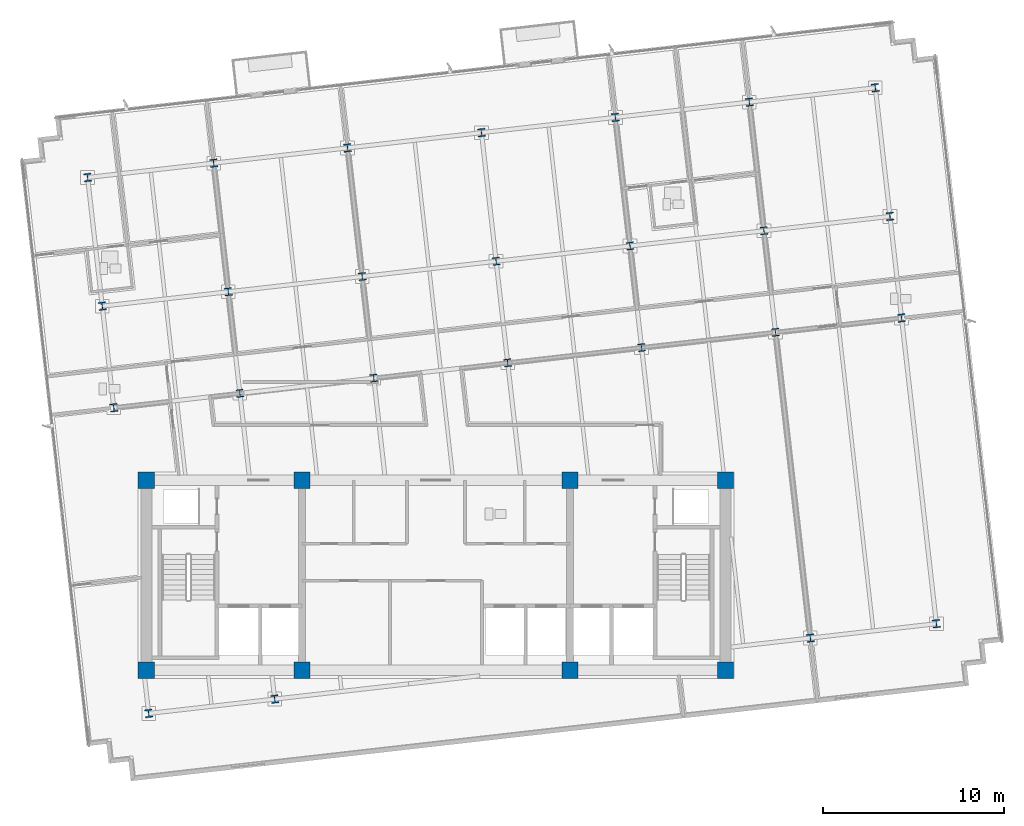
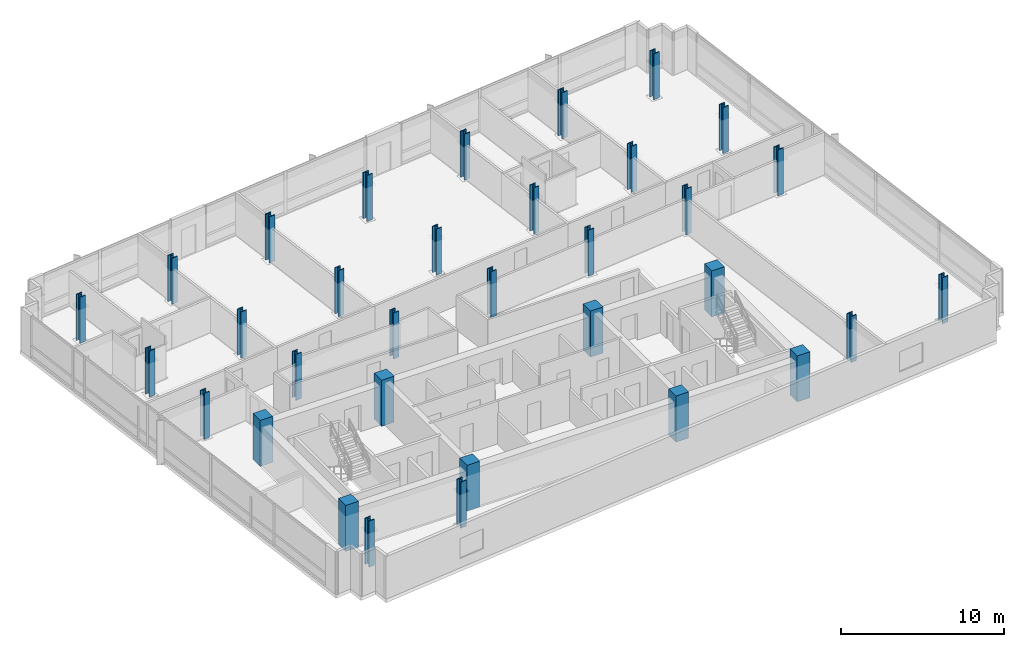
# One storey, part 1 of 15: 33 columns.
"""IFC4 building model written with IfcOpenShell, lengths in metres."""

from ifc_helpers import new_model, si_unit, direction, frame, origin, origin_2d, place, context, subcontext, project, spatial, rectangle, i_section, extrude, material, material_profile, profile_set, type_object, element, save


model = new_model("IFC4")

# Units and contexts
model_context = context("Model", 3, precision=1e-05, world=origin(), true_north=direction((0.0, 1.0)))
body_context = subcontext(model_context, "Body", "Model", "MODEL_VIEW")
ifc_project = project(units=[si_unit("LENGTHUNIT", "METRE"), si_unit("AREAUNIT", "SQUARE_METRE"), si_unit("VOLUMEUNIT", "CUBIC_METRE"), si_unit("PLANEANGLEUNIT", "RADIAN"), si_unit("MASSUNIT", "GRAM", prefix="KILO")], contexts=[model_context])

# Site, building, storey
site_placement = place(None, origin())
site = spatial("IfcSite", under=ifc_project, at=site_placement, CompositionType="ELEMENT")
building_placement = place(site_placement, origin())
building = spatial("IfcBuilding", under=site, at=building_placement, Name="Solmavex Isthmus Hotel", CompositionType="ELEMENT")
storey_placement = place(building_placement, frame((0.0, 0.0, 229.64990234375)))
storey = spatial("IfcBuildingStorey", under=building, at=storey_placement, Name="L62", CompositionType="ELEMENT", Elevation=229.64990234375)

# Columns
ifc_material_1 = material(Name="Concrete C50/60", Category="concrete")
ifc_material_profile_1 = material_profile(ifc_material_1, rectangle(XDim=0.89990234375, YDim=0.89990234375, at=origin_2d()), Name="RC900X900")
ifc_profile_set_1 = profile_set([ifc_material_profile_1], Name="Concrete C50/60")
column_type_1 = type_object("IfcColumnType", Name="COL-CC-900", PredefinedType="COLUMN", material=ifc_profile_set_1)
for number, where, z_axis, x_axis, name in (
    (1, (-16.0, -13.0, 0.0), (0.0, 0.0, 1.0), (1.0, 0.0, 0.0), "Core Pilaster CC-SW L62"),
    (2, (-7.39990234375, -13.0, 0.0), (0.0, 0.0, 1.0), (1.0, 0.0, 0.0), "Core Pilaster CC-S1 L62"),
    (3, (7.39990234375, -13.0, 0.0), (0.0, 0.0, 1.0), (1.0, 0.0, 0.0), "Core Pilaster CC-S2 L62"),
    (4, (16.0, -13.0, 0.0), (0.0, 0.0, 1.0), (1.0, 0.0, 0.0), "Core Pilaster CC-SE L62"),
    (5, (-16.0, -2.5, 0.0), (0.0, 0.0, 1.0), (1.0, 0.0, 0.0), "Core Pilaster CC-NW L62"),
    (6, (-7.39990234375, -2.5, 0.0), (0.0, 0.0, 1.0), (1.0, 0.0, 0.0), "Core Pilaster CC-N1 L62"),
    (7, (7.39990234375, -2.5, 0.0), (0.0, 0.0, 1.0), (1.0, 0.0, 0.0), "Core Pilaster CC-N2 L62"),
    (8, (16.0, -2.5, 0.0), (0.0, 0.0, 1.0), (1.0, 0.0, 0.0), "Core Pilaster CC-NE L62"),
):
    element("IfcColumn", number, at=place(storey_placement, frame(where, z_axis=z_axis, x_axis=x_axis)), inside=storey, type_object=column_type_1, Name=name, PredefinedType="COLUMN", context=body_context, shape_type="SweptSolid", body=[
        extrude(rectangle(XDim=0.89990234375, YDim=0.89990234375, at=origin_2d()), origin(), (0.0, 0.0, 1.0), 3.4501953125),
    ])
ifc_material_2 = material(Name="Steel ASTM A913 Grade 65", Category="steel")
ifc_material_profile_2 = material_profile(ifc_material_2, i_section(OverallWidth=0.412109375, OverallDepth=0.434814453125, WebThickness=0.035888671875, FlangeThickness=0.057373046875, FilletRadius=0.030517578125, at=origin_2d()), Name="W14X311")
ifc_profile_set_2 = profile_set([ifc_material_profile_2], Name="Steel ASTM A913 Grade 65")
column_type_2 = type_object("IfcColumnType", Name="COL-SC-W14X311", PredefinedType="COLUMN", material=ifc_profile_set_2)
for number, where, z_axis, x_axis, name in (
    (9, (-10.833984375, 2.30078125, 0.0), (0.0, 0.0, 1.0), (0.993571855677, 0.113203213768, 0.0), "Tower Column B4-U2V2 L62"),
    (10, (-11.473388671875, 7.912353515625, 0.0), (0.0, 0.0, 1.0), (0.993571855677, 0.113203213768, 0.0), "Tower Column B4-U2V3 L62"),
    (11, (-3.435791015625, 3.1435546875, 0.0), (0.0, 0.0, 1.0), (0.993571855677, 0.113203213768, 0.0), "Tower Column B4-U3V2 L62"),
    (12, (-4.0751953125, 8.75537109375, 0.0), (0.0, 0.0, 1.0), (0.993571855677, 0.113203213768, 0.0), "Tower Column B4-U3V3 L62"),
    (13, (3.962158203125, 3.986572265625, 0.0), (0.0, 0.0, 1.0), (0.993571855677, 0.113203213768, 0.0), "Tower Column B4-U4V2 L62"),
    (14, (3.322998046875, 9.59814453125, 0.0), (0.0, 0.0, 1.0), (0.993571855677, 0.113203213768, 0.0), "Tower Column B4-U4V3 L62"),
    (15, (11.3603515625, 4.829345703125, 0.0), (0.0, 0.0, 1.0), (0.993571855677, 0.113203213768, 0.0), "Tower Column B4-U5V2 L62"),
    (16, (10.720947265625, 10.441162109375, 0.0), (0.0, 0.0, 1.0), (0.993571855677, 0.113203213768, 0.0), "Tower Column B4-U5V3 L62"),
    (17, (18.758544921875, 5.67236328125, 0.0), (0.0, 0.0, 1.0), (0.993571855677, 0.113203213768, 0.0), "Tower Column B4-U6V2 L62"),
    (18, (18.119140625, 11.283935546875, 0.0), (0.0, 0.0, 1.0), (0.993571855677, 0.113203213768, 0.0), "Tower Column B4-U6V3 L62"),
):
    element("IfcColumn", number, at=place(storey_placement, frame(where, z_axis=z_axis, x_axis=x_axis)), inside=storey, type_object=column_type_2, Name=name, PredefinedType="COLUMN", context=body_context, shape_type="SweptSolid", body=[
        extrude(i_section(OverallWidth=0.412109375, OverallDepth=0.434814453125, WebThickness=0.035888671875, FlangeThickness=0.057373046875, FilletRadius=0.030517578125, at=origin_2d()), origin(), (0.0, 0.0, 1.0), 3.4501953125),
    ])
ifc_material_profile_3 = material_profile(ifc_material_2, i_section(OverallWidth=0.41845703125, OverallDepth=0.455078125, WebThickness=0.0419921875, FlangeThickness=0.067626953125, FilletRadius=0.030517578125, at=origin_2d()), Name="W14X370")
ifc_profile_set_3 = profile_set([ifc_material_profile_3], Name="Steel ASTM A913 Grade 65")
column_type_3 = type_object("IfcColumnType", Name="COL-SC-W14X370", PredefinedType="COLUMN", material=ifc_profile_set_3)
for number, where, z_axis, x_axis, name in (
    (19, (-15.87255859375, -15.38330078125, 0.0), (0.0, 0.0, 1.0), (0.993571855677, 0.113203213768, 0.0), "Tower Column B4-U1V1 L62"),
    (20, (-17.796875, 1.50732421875, 0.0), (0.0, 0.0, 1.0), (0.993571855677, 0.113203213768, 0.0), "Tower Column B4-U1V2 L62"),
    (21, (-18.436279296875, 7.119140625, 0.0), (0.0, 0.0, 1.0), (0.993571855677, 0.113203213768, 0.0), "Tower Column B4-U1V3 L62"),
    (22, (-19.245849609375, 14.22509765625, 0.0), (0.0, 0.0, 1.0), (0.993571855677, 0.113203213768, 0.0), "Tower Column B4-U1V4 L62"),
    (23, (-8.909423828125, -14.590087890625, 0.0), (0.0, 0.0, 1.0), (0.993571855677, 0.113203213768, 0.0), "Tower Column B4-U2V1 L62"),
    (24, (-12.282958984375, 15.018310546875, 0.0), (0.0, 0.0, 1.0), (0.993571855677, 0.113203213768, 0.0), "Tower Column B4-U2V4 L62"),
    (25, (-4.884765625, 15.861328125, 0.0), (0.0, 0.0, 1.0), (0.993571855677, 0.113203213768, 0.0), "Tower Column B4-U3V4 L62"),
    (26, (2.51318359375, 16.7041015625, 0.0), (0.0, 0.0, 1.0), (0.993571855677, 0.113203213768, 0.0), "Tower Column B4-U4V4 L62"),
    (27, (9.911376953125, 17.547119140625, 0.0), (0.0, 0.0, 1.0), (0.993571855677, 0.113203213768, 0.0), "Tower Column B4-U5V4 L62"),
    (28, (20.68310546875, -11.218505859375, 0.0), (0.0, 0.0, 1.0), (0.993571855677, 0.113203213768, 0.0), "Tower Column B4-U6V1 L62"),
    (29, (17.3095703125, 18.39013671875, 0.0), (0.0, 0.0, 1.0), (0.993571855677, 0.113203213768, 0.0), "Tower Column B4-U6V4 L62"),
    (30, (27.64599609375, -10.425048828125, 0.0), (0.0, 0.0, 1.0), (0.993571855677, 0.113203213768, 0.0), "Tower Column B4-U7V1 L62"),
    (31, (25.721435546875, 6.465576171875, 0.0), (0.0, 0.0, 1.0), (0.993571855677, 0.113203213768, 0.0), "Tower Column B4-U7V2 L62"),
    (32, (25.08203125, 12.077392578125, 0.0), (0.0, 0.0, 1.0), (0.993571855677, 0.113203213768, 0.0), "Tower Column B4-U7V3 L62"),
    (33, (24.2724609375, 19.183349609375, 0.0), (0.0, 0.0, 1.0), (0.993571855677, 0.113203213768, 0.0), "Tower Column B4-U7V4 L62"),
):
    element("IfcColumn", number, at=place(storey_placement, frame(where, z_axis=z_axis, x_axis=x_axis)), inside=storey, type_object=column_type_3, Name=name, PredefinedType="COLUMN", context=body_context, shape_type="SweptSolid", body=[
        extrude(i_section(OverallWidth=0.41845703125, OverallDepth=0.455078125, WebThickness=0.0419921875, FlangeThickness=0.067626953125, FilletRadius=0.030517578125, at=origin_2d()), origin(), (0.0, 0.0, 1.0), 3.4501953125),
    ])

save(model, "model.ifc")
